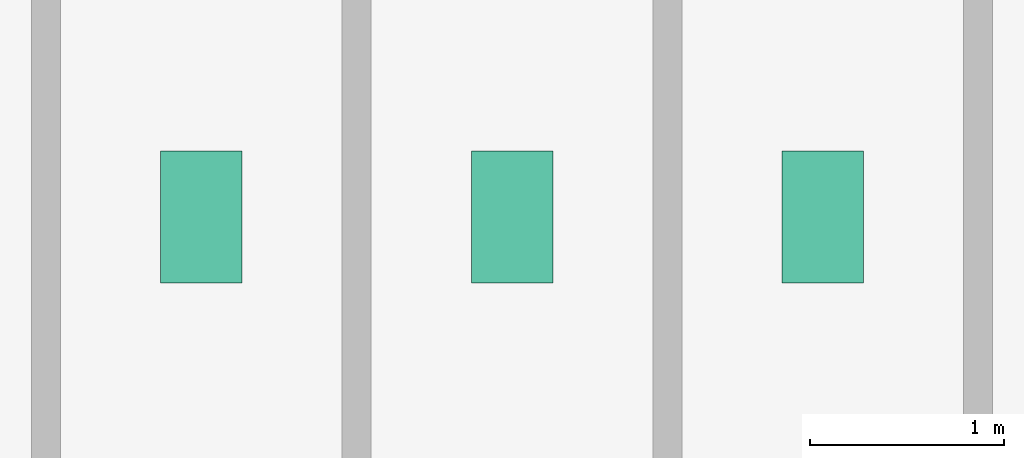
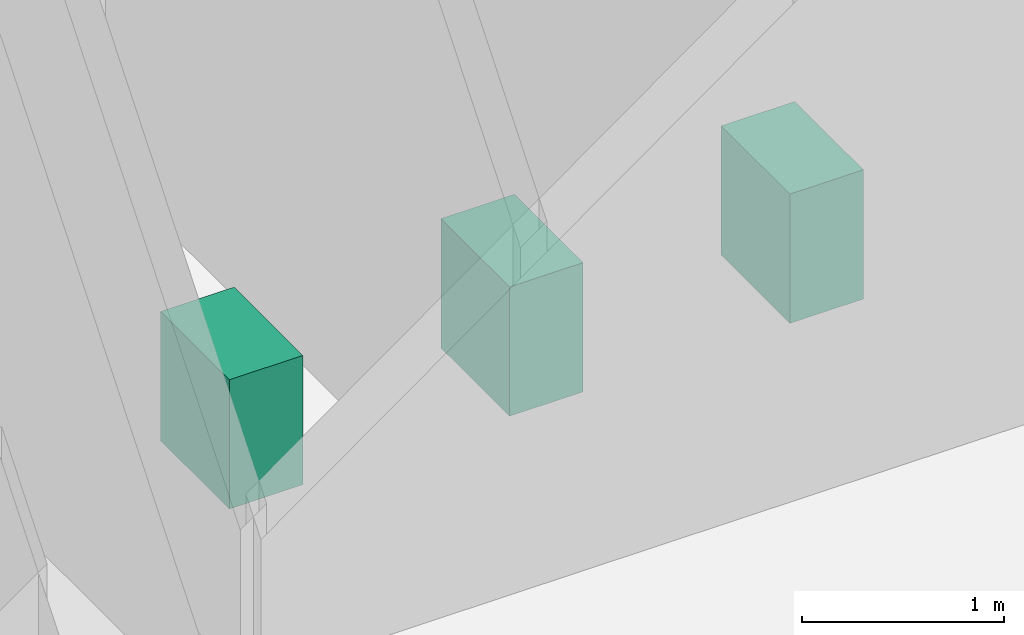
# One storey, part 22 of 22: 3 sanitary terminals.
"""IFC4 building model written with IfcOpenShell, lengths in metres."""

import ifcopenshell
import ifcopenshell.guid

model = None  # the IFC model being written
_history = None  # IfcOwnerHistory: only IFC2X3 demands one
_inside = {}  # id of a spatial element -> (the spatial element, [elements in it])
_under = {}  # id of a project, library or spatial element -> (it, [spatial elements below it])
_declared = {}  # id of a project -> (the project, [libraries it declares])
_typed = {}  # id of a type object -> (the type object, [elements of that type])
_made_of = {}  # id of a material, layer set ... -> (it, [elements and type objects made of it])


def new_model(schema):
    """Start an empty IFC model of exactly this schema.

    Asked for "IFC4X3", IfcOpenShell would pick the latest addendum, in which some entities
    have other attributes; the version numbers below select the first issue.
    IFC2X3 requires an IfcOwnerHistory on every rooted entity: one is made here for all.
    """
    global model, _history
    if schema == "IFC4X3":
        model = ifcopenshell.file(schema_version=(4, 3, 0, 0))
    else:
        model = ifcopenshell.file(schema=schema)
    _inside.clear()
    _under.clear()
    _declared.clear()
    _typed.clear()
    _made_of.clear()
    _history = None
    if model.schema == "IFC2X3":
        org = make("IfcOrganization", Name="unknown")
        user = make(
            "IfcPersonAndOrganization",
            ThePerson=make("IfcPerson", FamilyName="unknown"),
            TheOrganization=org,
        )
        app = make(
            "IfcApplication",
            ApplicationDeveloper=org,
            Version="unknown",
            ApplicationFullName="unknown",
            ApplicationIdentifier="unknown",
        )
        _history = make(
            "IfcOwnerHistory",
            OwningUser=user,
            OwningApplication=app,
            ChangeAction="ADDED",
            CreationDate=0,
        )
    return model


def make(cls, **values):
    """One entity of the class cls with the attributes given. An attribute that is None is left unset."""
    return model.create_entity(
        cls, **{name: value for name, value in values.items() if value is not None}
    )


def rooted(cls, **values):
    """An entity with a GlobalId (a new one), such as an element, a storey or a relation."""
    return make(cls, GlobalId=ifcopenshell.guid.new(), OwnerHistory=_history, **values)


def si_unit(unit_type, name, prefix=None):
    """IfcSIUnit, for example si_unit("LENGTHUNIT", "METRE", prefix="MILLI")."""
    return make("IfcSIUnit", UnitType=unit_type, Prefix=prefix, Name=name)


def derived_unit(unit_type, elements):
    """IfcDerivedUnit: a product of units, each with its exponent."""
    return make(
        "IfcDerivedUnit",
        Elements=[
            make("IfcDerivedUnitElement", Unit=unit, Exponent=power)
            for unit, power in elements
        ],
        UnitType=unit_type,
    )


def assignment(units):
    """IfcUnitAssignment: the units of a project."""
    return None if units is None else make("IfcUnitAssignment", Units=units)


def point(xyz):
    """IfcCartesianPoint."""
    return None if xyz is None else make("IfcCartesianPoint", Coordinates=xyz)


def direction(xyz):
    """IfcDirection."""
    return None if xyz is None else make("IfcDirection", DirectionRatios=xyz)


def frame(location, z_axis=None, x_axis=None):
    """IfcAxis2Placement3D, a coordinate frame: its origin and axes. An axis left out is left unset."""
    return make(
        "IfcAxis2Placement3D",
        Location=point(location),
        Axis=direction(z_axis),
        RefDirection=direction(x_axis),
    )


def frame_2d(location, x_axis=None):
    """IfcAxis2Placement2D, a coordinate frame in the plane: its origin and x axis."""
    return make(
        "IfcAxis2Placement2D", Location=point(location), RefDirection=direction(x_axis)
    )


def origin():
    """The frame at (0, 0, 0) with its axes left unset."""
    return frame((0.0, 0.0, 0.0))


def origin_2d():
    """The frame at (0, 0) in the plane with its x axis left unset."""
    return frame_2d((0.0, 0.0))


def place(relative_to, where):
    """IfcLocalPlacement: puts the frame where relative to a parent placement (None: the world)."""
    return make(
        "IfcLocalPlacement", PlacementRelTo=relative_to, RelativePlacement=where
    )


def context(
    kind, dimensions, precision=None, world=None, true_north=None, identifier=None
):
    """IfcGeometricRepresentationContext, for example the 3D "Model" context."""
    return make(
        "IfcGeometricRepresentationContext",
        ContextIdentifier=identifier,
        ContextType=kind,
        CoordinateSpaceDimension=dimensions,
        Precision=precision,
        WorldCoordinateSystem=world,
        TrueNorth=true_north,
    )


def subcontext(parent, identifier, kind, view, scale=None):
    """IfcGeometricRepresentationSubContext, for example "Body" below "Model"."""
    return make(
        "IfcGeometricRepresentationSubContext",
        ContextIdentifier=identifier,
        ContextType=kind,
        ParentContext=parent,
        TargetScale=scale,
        TargetView=view,
    )


def project(units=None, contexts=None):
    """IfcProject with its units and contexts."""
    return rooted(
        "IfcProject",
        Name="project",
        RepresentationContexts=contexts,
        UnitsInContext=assignment(units),
    )


def spatial(cls, under=None, at=None, **own):
    """A site, building, storey or space (cls), placed at a placement, below another one or the project."""
    s = rooted(cls, ObjectPlacement=at, **own)
    if under is not None:
        _under.setdefault(under.id(), (under, []))[1].append(s)
    return s


def profile(cls, at=None, kind="AREA", **sizes):
    """A parametric profile (cls). Its sizes go by their IFC names, for example OverallWidth=200.0."""
    return make(cls, ProfileType=kind, Position=at, **sizes)


def rectangle(**sizes):
    """IfcRectangleProfileDef."""
    return profile("IfcRectangleProfileDef", **sizes)


def extrude(swept, where, along, depth):
    """IfcExtrudedAreaSolid: the profile swept, set in the frame where, extruded along a direction by depth."""
    return make(
        "IfcExtrudedAreaSolid",
        SweptArea=swept,
        Position=where,
        ExtrudedDirection=direction(along),
        Depth=depth,
    )


def shape(context_of_items, identifier, shape_type, items):
    """IfcShapeRepresentation: the items that make up one representation, for example the "Body"."""
    return make(
        "IfcShapeRepresentation",
        ContextOfItems=context_of_items,
        RepresentationIdentifier=identifier,
        RepresentationType=shape_type,
        Items=items,
    )


def source(mapping_origin, context_of_items, identifier, shape_type, items):
    """IfcRepresentationMap: a shape defined once, which mapped items show again and again."""
    return make(
        "IfcRepresentationMap",
        MappingOrigin=mapping_origin,
        MappedRepresentation=shape(context_of_items, identifier, shape_type, items),
    )


def transform(
    local_origin,
    x_axis=None,
    y_axis=None,
    z_axis=None,
    scale=None,
    scale2=None,
    scale3=None,
    uniform=True,
):
    """IfcCartesianTransformationOperator3D, or its non-uniform kind. x_axis, y_axis, z_axis: its Axis1, 2, 3."""
    if uniform:
        return make(
            "IfcCartesianTransformationOperator3D",
            Axis1=direction(x_axis),
            Axis2=direction(y_axis),
            LocalOrigin=point(local_origin),
            Scale=scale,
            Axis3=direction(z_axis),
        )
    return make(
        "IfcCartesianTransformationOperator3DnonUniform",
        Axis1=direction(x_axis),
        Axis2=direction(y_axis),
        LocalOrigin=point(local_origin),
        Scale=scale,
        Axis3=direction(z_axis),
        Scale2=scale2,
        Scale3=scale3,
    )


def mapped(mapping_source, mapping_target):
    """IfcMappedItem: shows the shape of a source again, moved by a transform."""
    return make(
        "IfcMappedItem", MappingSource=mapping_source, MappingTarget=mapping_target
    )


def material(Name=None, Category=None):
    """IfcMaterial."""
    return make("IfcMaterial", Name=Name, Category=Category)


def made_of(thing, what):
    """Note that an element or type object is made of a material, layer set ...; save() writes the relation."""
    if what is not None:
        _made_of.setdefault(what.id(), (what, []))[1].append(thing)
    return thing


def type_object(cls, material=None, **own):
    """A type object (cls), such as IfcWallType, which elements share."""
    return made_of(rooted(cls, **own), material)


def element(
    cls,
    number,
    at=None,
    inside=None,
    cuts=None,
    type_object=None,
    material=None,
    context=None,
    identifier="Body",
    shape_type=None,
    held_by="IfcProductDefinitionShape",
    body=None,
    shapes=None,
    **own,
):
    """One element of the class cls, such as IfcWall. Its Tag is "e" and its number.

    at: its placement. inside: the storey or other place that contains it. cuts: it is an
    opening in that element (IfcRelVoidsElement). A single representation is given by context,
    identifier, shape_type and body (its items); several are given by shapes. held_by: the class
    of the entity that holds the representations. save() writes the other relations.
    """
    e = rooted(cls, Tag="e%d" % number, ObjectPlacement=at, **own)
    if body is not None:
        shapes = [shape(context, identifier, shape_type, body)]
    if shapes is not None:
        e.Representation = make(held_by, Representations=shapes)
    if inside is not None:
        _inside.setdefault(inside.id(), (inside, []))[1].append(e)
    if cuts is not None:
        rooted(
            "IfcRelVoidsElement", RelatingBuildingElement=cuts, RelatedOpeningElement=e
        )
    if type_object is not None:
        _typed.setdefault(type_object.id(), (type_object, []))[1].append(e)
    return made_of(e, material)


def aggregate(whole, parts):
    """IfcRelAggregates: a whole, such as a stair, and the parts it consists of."""
    return rooted("IfcRelAggregates", RelatingObject=whole, RelatedObjects=parts)


def save(model, path):
    """Write the relations noted so far, then the file.

    IfcRelAggregates (storeys below a building ...), IfcRelContainedInSpatialStructure (elements
    in a storey), IfcRelDefinesByType, IfcRelAssociatesMaterial and IfcRelDeclares: one each for
    every whole, place, type object, material and project.
    """
    for whole, parts in _under.values():
        aggregate(whole, parts)
    for where, things in _inside.values():
        rooted(
            "IfcRelContainedInSpatialStructure",
            RelatedElements=things,
            RelatingStructure=where,
        )
    for kind, things in _typed.values():
        rooted("IfcRelDefinesByType", RelatedObjects=things, RelatingType=kind)
    for what, things in _made_of.values():
        rooted("IfcRelAssociatesMaterial", RelatedObjects=things, RelatingMaterial=what)
    for by, libraries in _declared.values():
        rooted("IfcRelDeclares", RelatingContext=by, RelatedDefinitions=libraries)
    model.write(path)


model = new_model("IFC4")

# Units and contexts
model_context = context("Model", 3, precision=1e-05, world=origin(), true_north=direction((0.0, 1.0)))
body_context = subcontext(model_context, "Body", "Model", "MODEL_VIEW")
ifc_project = project(units=[si_unit("LENGTHUNIT", "METRE"), si_unit("AREAUNIT", "SQUARE_METRE"), si_unit("VOLUMEUNIT", "CUBIC_METRE"), si_unit("PLANEANGLEUNIT", "RADIAN"), si_unit("MASSUNIT", "GRAM", prefix="KILO"), derived_unit("THERMALTRANSMITTANCEUNIT", [(si_unit("POWERUNIT", "WATT"), 1), (si_unit("LENGTHUNIT", "METRE"), -2), (si_unit("THERMODYNAMICTEMPERATUREUNIT", "KELVIN"), -1)])], contexts=[model_context])

# Site, building, storey
site_placement = place(None, origin())
site = spatial("IfcSite", under=ifc_project, at=site_placement, CompositionType="ELEMENT")
building_placement = place(site_placement, origin())
building = spatial("IfcBuilding", under=site, at=building_placement, Name="Skarnbrae Concourse Arena and Tower", CompositionType="ELEMENT")
storey_placement = place(building_placement, frame((0.0, 0.0, 280.699951171875)))
storey = spatial("IfcBuildingStorey", under=building, at=storey_placement, Name="L73", CompositionType="ELEMENT", Elevation=280.699951171875)

# Sanitary terminals
ifc_material = material(Name="Vitreous china sanitaryware", Category="other")
sanitary_terminal_type = type_object("IfcSanitaryTerminalType", Name="SAN-WC-VITREOUS", PredefinedType="TOILETPAN", material=ifc_material)
shared_shape = source(origin(), body_context, "Body", "SweptSolid", [
    extrude(rectangle(XDim=0.419921875, YDim=0.679931640625, at=origin_2d()), origin(), (0.0, 0.0, 1.0), 0.780029296875),
])
for number, where, z_axis, x_axis, name in (
    (1, (35.0, 11.39990234375, 0.0), (0.0, 0.0, 1.0), (1.0, 0.0, 0.0), "L73 Washroom WC fixture 1"),
    (2, (36.60009765625, 11.39990234375, 0.0), (0.0, 0.0, 1.0), (1.0, 0.0, 0.0), "L73 Washroom WC fixture 2"),
    (3, (38.199951171875, 11.39990234375, 0.0), (0.0, 0.0, 1.0), (1.0, 0.0, 0.0), "L73 Washroom WC fixture 3"),
):
    element("IfcSanitaryTerminal", number, at=place(storey_placement, frame(where, z_axis=z_axis, x_axis=x_axis)), inside=storey, type_object=sanitary_terminal_type, Name=name, PredefinedType="TOILETPAN", context=body_context, shape_type="MappedRepresentation", body=[
        mapped(shared_shape, transform((0.0, 0.0, 0.0))),
    ])

save(model, "model.ifc")
